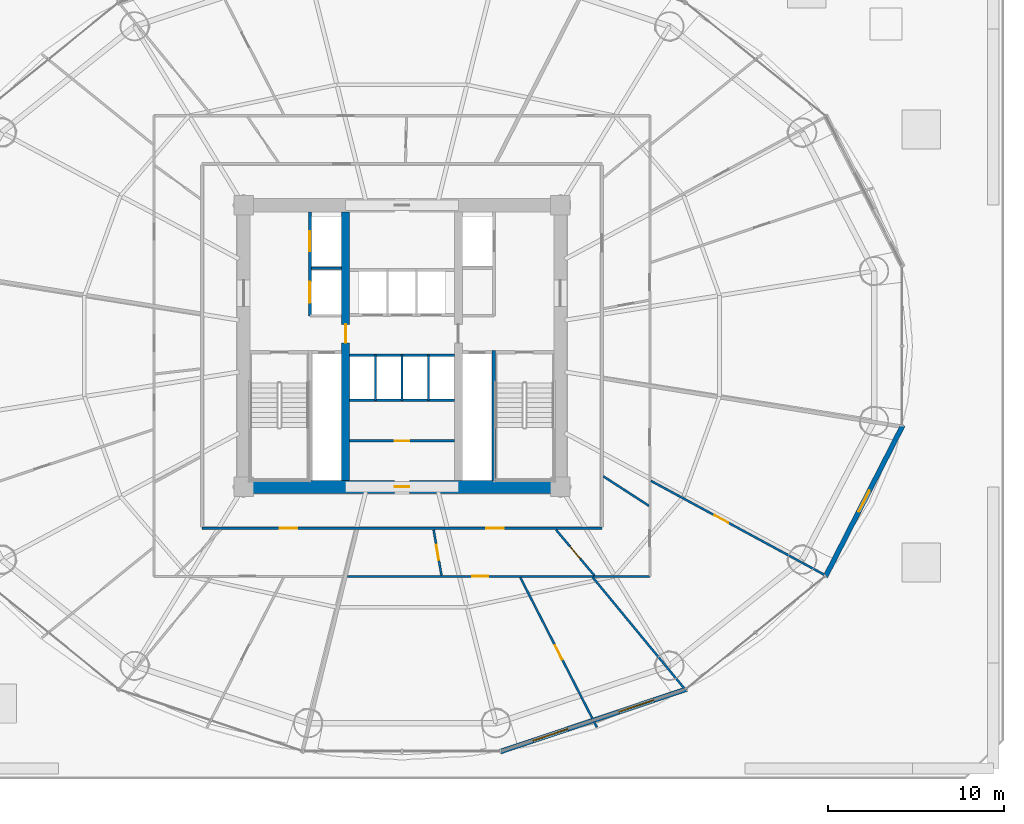
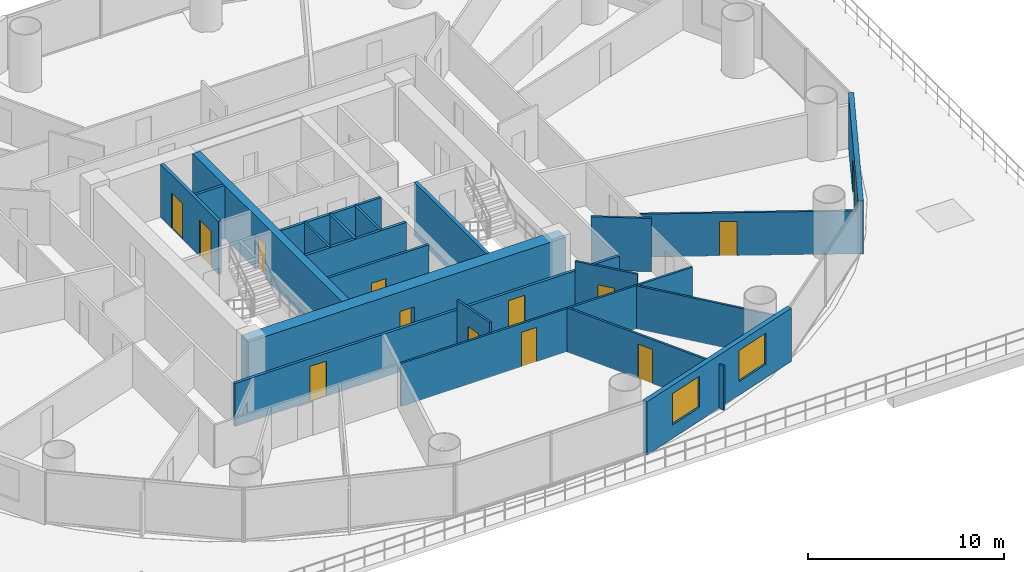
# One storey, part 31 of 37: 21 walls, 13 doors, 2 windows, 15 openings.
"""IFC4 building model written with IfcOpenShell, lengths in metres."""

from ifc_helpers import new_model, si_unit, direction, frame, frame_2d, origin, place, context, subcontext, project, spatial, rectangle, extrude, source, transform, mapped, material, layer, layer_set, type_object, element, fill, save


model = new_model("IFC4")

# Units and contexts
model_context = context("Model", 3, precision=1e-05, world=origin(), true_north=direction((-0.2419218956, 0.970295726276)))
body_context = subcontext(model_context, "Body", "Model", "MODEL_VIEW")
ifc_project = project(units=[si_unit("LENGTHUNIT", "METRE"), si_unit("AREAUNIT", "SQUARE_METRE"), si_unit("VOLUMEUNIT", "CUBIC_METRE"), si_unit("PLANEANGLEUNIT", "RADIAN"), si_unit("MASSUNIT", "GRAM", prefix="KILO")], contexts=[model_context])

# Site, building, storey
site_placement = place(None, origin())
site = spatial("IfcSite", under=ifc_project, at=site_placement, CompositionType="ELEMENT")
building_placement = place(site_placement, origin())
building = spatial("IfcBuilding", under=site, at=building_placement, Name="Cobrevalo Terracotta Tower", CompositionType="ELEMENT")
storey_placement = place(building_placement, frame((0.0, 0.0, 24.0)))
storey = spatial("IfcBuildingStorey", under=building, at=storey_placement, Name="L05", CompositionType="ELEMENT", Elevation=24.0)

# Wall, opening, door
ifc_material_1 = material(Name="Concrete C60", Category="concrete")
ifc_layer_1 = layer(ifc_material_1, 0.75)
ifc_layer_set_1 = layer_set([ifc_layer_1], Name="Concrete C60")
wall_type_1 = type_object("IfcWallType", Name="Core shear wall 750 mm Concrete C60", PredefinedType="SHEAR", material=ifc_layer_set_1)
wall_1_placement = place(storey_placement, frame((28.625, 18.800048828125, 0.0), z_axis=(0.0, 0.0, 1.0), x_axis=(1.0, 0.0, 0.0)))
wall_1 = element("IfcWall", 1, at=wall_1_placement, inside=storey, type_object=wall_type_1, Name="L05 south core shear wall", PredefinedType="SHEAR", context=body_context, shape_type="SweptSolid", body=[
    extrude(rectangle(XDim=18.75, YDim=0.75, at=frame_2d((9.375, 0.0))), origin(), (0.0, 0.0, 1.0), 3.320068359375),
])
opening_1_placement = place(wall_1_placement, frame((8.949951171875, 0.0, 0.0)))
opening_1 = element("IfcOpeningElement", 2, at=opening_1_placement, cuts=wall_1, Name="Opening ID-22", PredefinedType="OPENING", context=body_context, shape_type="SweptSolid", body=[
    extrude(rectangle(XDim=0.85009765625, YDim=2.10009765625, at=frame_2d((0.425048828125, 1.050048828125))), frame((0.0, 0.385009765625, 0.0), z_axis=(0.0, -1.0, 0.0), x_axis=(1.0, 0.0, 0.0)), (0.0, 0.0, 1.0), 0.77001953125),
])
ifc_material_2 = material(Name="Powder-coated steel", Category="steel")
door_type_1 = type_object("IfcDoorType", Name="Riser shaft & meter closet fire access door 850x2100 EI 60", OperationType="NOTDEFINED", PredefinedType="DOOR", material=ifc_material_2)
shared_shape_1 = source(origin(), body_context, "Body", "SweptSolid", [
    extrude(rectangle(XDim=0.85009765625, YDim=2.10009765625, at=frame_2d((0.425048828125, 1.050048828125))), frame((0.0, 0.02490234375, 0.0), z_axis=(0.0, -1.0, 0.0), x_axis=(1.0, 0.0, 0.0)), (0.0, 0.0, 1.0), 0.050048828125),
])
door_1_placement = place(opening_1_placement, origin())
door_1 = element("IfcDoor", 3, at=door_1_placement, inside=storey, type_object=door_type_1, Name="L05 core south plant door Smoke Extract Fan Plant", OperationType="SINGLE_SWING_RIGHT", OverallHeight=2.10009765625, OverallWidth=0.85009765625, PredefinedType="DOOR", context=body_context, shape_type="MappedRepresentation", body=[
    mapped(shared_shape_1, transform((0.0, 0.0, 0.0), scale=1.0)),
])
fill(opening_1, door_1)

# Walls
ifc_material_3 = material(Name="Gypsum board on steel stud", Category="steel")
ifc_layer_2 = layer(ifc_material_3, 0.159912109375)
ifc_layer_set_2 = layer_set([ifc_layer_2], Name="Gypsum board on steel stud")
wall_type_2 = type_object("IfcWallType", Name="Fire-rated corridor acoustic partition wall 160 mm", PredefinedType="PARTITIONING", material=ifc_layer_set_2)
wall_2_placement = place(storey_placement, frame((32.860107421875, 31.219970703125, 0.0), z_axis=(0.0, 0.0, 1.0), x_axis=(1.0, 0.0, 0.0)))
element("IfcWall", 4, at=wall_2_placement, inside=storey, type_object=wall_type_2, Name="L05 interior partition IW-L05-FF1-M", PredefinedType="PARTITIONING", context=body_context, shape_type="SweptSolid", body=[
    extrude(rectangle(XDim=1.71484375, YDim=0.159912109375, at=frame_2d((0.857421875, 0.0))), origin(), (0.0, 0.0, 1.0), 3.320068359375),
])
for number, where, z_axis, x_axis, name in (
    (5, (35.02490234375, 26.280029296875, 0.0), (0.0, 0.0, 1.0), (1.0, 0.0, 0.0), "L05 interior partition IW-L05-MB-N"),
    (6, (35.02490234375, 23.719970703125, 0.0), (0.0, 0.0, 1.0), (1.0, 0.0, 0.0), "L05 interior partition IW-L05-MB-S"),
):
    element("IfcWall", number, at=place(storey_placement, frame(where, z_axis=z_axis, x_axis=x_axis)), inside=storey, type_object=wall_type_2, Name=name, PredefinedType="PARTITIONING", context=body_context, shape_type="SweptSolid", body=[
        extrude(rectangle(XDim=5.9501953125, YDim=0.159912109375, at=frame_2d((2.97509765625, 0.0))), origin(), (0.0, 0.0, 1.0), 3.320068359375),
    ])

# Wall, openings, doors
wall_3_placement = place(storey_placement, frame((26.64501953125, 16.445068359375, 0.0), z_axis=(0.0, 0.0, 1.0), x_axis=(1.0, 0.0, 0.0)))
wall_3 = element("IfcWall", 7, at=wall_3_placement, inside=storey, type_object=wall_type_2, Name="L05 interior partition IW-L05-COR-S", PredefinedType="PARTITIONING", context=body_context, shape_type="SweptSolid", body=[
    extrude(rectangle(XDim=22.7099609375, YDim=0.159912109375, at=frame_2d((11.35498046875, 0.0))), origin(), (0.0, 0.0, 1.0), 2.68798828125),
])
opening_2_placement = place(wall_3_placement, frame((4.4208984375, 0.0, 0.0)))
opening_2 = element("IfcOpeningElement", 8, at=opening_2_placement, cuts=wall_3, Name="Opening ID-05", PredefinedType="OPENING", context=body_context, shape_type="SweptSolid", body=[
    extrude(rectangle(XDim=0.97998046875, YDim=2.199951171875, at=frame_2d((0.489990234375, 1.10009765625))), frame((0.0, 0.08984375, 0.0), z_axis=(0.0, -1.0, 0.0), x_axis=(1.0, 0.0, 0.0)), (0.0, 0.0, 1.0), 0.179931640625),
])
opening_3_placement = place(wall_3_placement, frame((16.152587890625, 0.0, 0.0)))
opening_3 = element("IfcOpeningElement", 9, at=opening_3_placement, cuts=wall_3, Name="Opening ID-05", PredefinedType="OPENING", context=body_context, shape_type="SweptSolid", body=[
    extrude(rectangle(XDim=0.97998046875, YDim=2.199951171875, at=frame_2d((0.489990234375, 1.10009765625))), frame((0.0, 0.08984375, 0.0), z_axis=(0.0, -1.0, 0.0), x_axis=(1.0, 0.0, 0.0)), (0.0, 0.0, 1.0), 0.179931640625),
])
ifc_material_4 = material(Name="Solid hardwood timber", Category="wood")
door_type_2 = type_object("IfcDoorType", Name="Residence entrance fire-rated acoustic timber door 980x2200 EI 60", OperationType="NOTDEFINED", PredefinedType="DOOR", material=ifc_material_4)
shared_shape_2 = source(origin(), body_context, "Body", "SweptSolid", [
    extrude(rectangle(XDim=0.97998046875, YDim=2.199951171875, at=frame_2d((0.489990234375, 1.10009765625))), frame((0.0, 0.02490234375, 0.0), z_axis=(0.0, -1.0, 0.0), x_axis=(1.0, 0.0, 0.0)), (0.0, 0.0, 1.0), 0.050048828125),
])
door_2_placement = place(opening_2_placement, frame((0.97998046875, 0.0, 0.0), z_axis=(0.0, 0.0, 1.0), x_axis=(-1.0, 0.0, 0.0)))
door_2 = element("IfcDoor", 10, at=door_2_placement, inside=storey, type_object=door_type_2, Name="Flat L05C fire-rated apartment entrance door", OperationType="SINGLE_SWING_RIGHT", OverallHeight=2.199951171875, OverallWidth=0.97998046875, PredefinedType="DOOR", context=body_context, shape_type="MappedRepresentation", body=[
    mapped(shared_shape_2, transform((0.0, 0.0, 0.0), scale=1.0)),
])
fill(opening_2, door_2)
door_3_placement = place(opening_3_placement, frame((0.97998046875, 0.0, 0.0), z_axis=(0.0, 0.0, 1.0), x_axis=(-1.0, 0.0, 0.0)))
door_3 = element("IfcDoor", 11, at=door_3_placement, inside=storey, type_object=door_type_2, Name="Flat L05D fire-rated apartment entrance door", OperationType="SINGLE_SWING_LEFT", OverallHeight=2.199951171875, OverallWidth=0.97998046875, PredefinedType="DOOR", context=body_context, shape_type="MappedRepresentation", body=[
    mapped(shared_shape_2, transform((0.0, 0.0, 0.0), scale=1.0)),
])
fill(opening_3, door_3)

ifc_layer_3 = layer(ifc_material_3, 0.179931640625)
ifc_layer_set_3 = layer_set([ifc_layer_3], Name="Gypsum board on steel stud")
wall_type_3 = type_object("IfcWallType", Name="Fire-rated shaft & lobby acoustic partition wall 180 mm", PredefinedType="PARTITIONING", material=ifc_layer_set_3)
wall_4_placement = place(storey_placement, frame((32.77001953125, 28.52001953125, 0.0), z_axis=(0.0, 0.0, 1.0), x_axis=(0.0, 1.0, 0.0)))
wall_4 = element("IfcWall", 12, at=wall_4_placement, inside=storey, type_object=wall_type_3, Name="L05 interior partition IW-L05-FF1-W", PredefinedType="PARTITIONING", context=body_context, shape_type="SweptSolid", body=[
    extrude(rectangle(XDim=5.905029296875, YDim=0.179931640625, at=frame_2d((2.95263671875, 0.0))), origin(), (0.0, 0.0, 1.0), 3.320068359375),
])
opening_4_placement = place(wall_4_placement, frame((3.655029296875, 0.0, 0.0)))
opening_4 = element("IfcOpeningElement", 13, at=opening_4_placement, cuts=wall_4, Name="Opening LD-02", PredefinedType="OPENING", context=body_context, shape_type="SweptSolid", body=[
    extrude(rectangle(XDim=1.14990234375, YDim=2.199951171875, at=frame_2d((0.574951171875, 1.10009765625))), frame((0.0, 0.10009765625, 0.0), z_axis=(0.0, -1.0, 0.0), x_axis=(1.0, 0.0, 0.0)), (0.0, 0.0, 1.0), 0.199951171875),
])
opening_5_placement = place(wall_4_placement, frame((0.72998046875, 0.0, 0.0)))
opening_5 = element("IfcOpeningElement", 14, at=opening_5_placement, cuts=wall_4, Name="Opening LD-03", PredefinedType="OPENING", context=body_context, shape_type="SweptSolid", body=[
    extrude(rectangle(XDim=1.199951171875, YDim=2.25, at=frame_2d((0.60009765625, 1.125))), frame((0.0, 0.10009765625, 0.0), z_axis=(0.0, -1.0, 0.0), x_axis=(1.0, 0.0, 0.0)), (0.0, 0.0, 1.0), 0.199951171875),
])
ifc_material_5 = material(Name="Brushed stainless steel", Category="steel")
door_type_3 = type_object("IfcDoorType", Name="Firefighting lift landing bi-parting sliding door 1150x2200 EI 120", OperationType="DOUBLE_DOOR_SLIDING", PredefinedType="DOOR", material=ifc_material_5)
shared_shape_3 = source(origin(), body_context, "Body", "SweptSolid", [
    extrude(rectangle(XDim=1.14990234375, YDim=2.199951171875, at=frame_2d((0.574951171875, 1.10009765625))), frame((0.0, 0.02490234375, 0.0), z_axis=(0.0, -1.0, 0.0), x_axis=(1.0, 0.0, 0.0)), (0.0, 0.0, 1.0), 0.050048828125),
])
door_4_placement = place(opening_4_placement, origin())
door_4 = element("IfcDoor", 15, at=door_4_placement, inside=storey, type_object=door_type_3, Name="L05 lift landing door FF-1", OperationType="DOUBLE_DOOR_SLIDING", OverallHeight=2.199951171875, OverallWidth=1.14990234375, PredefinedType="DOOR", context=body_context, shape_type="MappedRepresentation", body=[
    mapped(shared_shape_3, transform((0.0, 0.0, 0.0), scale=1.0)),
])
fill(opening_4, door_4)
door_type_4 = type_object("IfcDoorType", Name="Service lift landing bi-parting sliding door 1200x2250 EI 120", OperationType="DOUBLE_DOOR_SLIDING", PredefinedType="DOOR", material=ifc_material_5)
shared_shape_4 = source(origin(), body_context, "Body", "SweptSolid", [
    extrude(rectangle(XDim=1.199951171875, YDim=2.25, at=frame_2d((0.60009765625, 1.125))), frame((0.0, 0.02490234375, 0.0), z_axis=(0.0, -1.0, 0.0), x_axis=(1.0, 0.0, 0.0)), (0.0, 0.0, 1.0), 0.050048828125),
])
door_5_placement = place(opening_5_placement, origin())
door_5 = element("IfcDoor", 16, at=door_5_placement, inside=storey, type_object=door_type_4, Name="L05 lift landing door SV-1", OperationType="DOUBLE_DOOR_SLIDING", OverallHeight=2.25, OverallWidth=1.199951171875, PredefinedType="DOOR", context=body_context, shape_type="MappedRepresentation", body=[
    mapped(shared_shape_4, transform((0.0, 0.0, 0.0), scale=1.0)),
])
fill(opening_5, door_5)

# Walls
ifc_material_6 = material(Name="Autoclaved aerated concrete block", Category="concrete")
ifc_layer_4 = layer(ifc_material_6, 0.1201171875)
ifc_layer_set_4 = layer_set([ifc_layer_4], Name="Autoclaved aerated concrete block")
wall_type_4 = type_object("IfcWallType", Name="Fire-rated wet-room & core service partition 120 mm", PredefinedType="PARTITIONING", material=ifc_layer_set_4)
for number, where, z_axis, x_axis, name in (
    (17, (36.5, 23.719970703125, 0.0), (0.0, 0.0, 1.0), (0.0, 1.0, 0.0), "L05 interior partition IW-L05-MB-D1"),
    (18, (39.5, 23.719970703125, 0.0), (0.0, 0.0, 1.0), (0.0, 1.0, 0.0), "L05 interior partition IW-L05-MB-D3"),
):
    element("IfcWall", number, at=place(storey_placement, frame(where, z_axis=z_axis, x_axis=x_axis)), inside=storey, type_object=wall_type_4, Name=name, PredefinedType="PARTITIONING", context=body_context, shape_type="SweptSolid", body=[
        extrude(rectangle(XDim=2.56005859375, YDim=0.1201171875, at=frame_2d((1.280029296875, 0.0))), origin(), (0.0, 0.0, 1.0), 3.320068359375),
    ])

# Wall, openings, windows
ifc_layer_5 = layer(ifc_material_6, 0.280029296875)
ifc_layer_set_5 = layer_set([ifc_layer_5], Name="Autoclaved aerated concrete block")
wall_type_5 = type_object("IfcWallType", Name="Insulated tower spandrel & pier wall 280 mm with terracotta rainscreen", PredefinedType="SOLIDWALL", material=ifc_layer_set_5)
wall_5_placement = place(storey_placement, frame((43.575927734375, 3.755615234375, 0.0), z_axis=(0.0, 0.0, 1.0), x_axis=(0.948047847546, 0.31812777113, 0.0)))
wall_5 = element("IfcWall", 19, at=wall_5_placement, inside=storey, type_object=wall_type_5, Name="L05 terracotta rainscreen pier wall S13", PredefinedType="SOLIDWALL", context=body_context, shape_type="SweptSolid", body=[
    extrude(rectangle(XDim=11.17529296875, YDim=0.280029296875, at=frame_2d((5.587646484375, 0.0))), origin(), (0.0, 0.0, 1.0), 3.320068359375),
])
opening_6_placement = place(wall_5_placement, frame((1.96728515625, 0.0, 0.85009765625)))
opening_6 = element("IfcOpeningElement", 20, at=opening_6_placement, cuts=wall_5, Name="Opening WN-10", PredefinedType="OPENING", context=body_context, shape_type="SweptSolid", body=[
    extrude(rectangle(XDim=2.10009765625, YDim=1.949951171875, at=frame_2d((1.050048828125, 0.97509765625))), frame((0.0, 0.14990234375, 0.0), z_axis=(0.0, -1.0, 0.0), x_axis=(1.0, 0.0, 0.0)), (0.0, 0.0, 1.0), 0.300048828125),
])
opening_7_placement = place(wall_5_placement, frame((7.108154296875, 0.0, 0.85009765625)))
opening_7 = element("IfcOpeningElement", 21, at=opening_7_placement, cuts=wall_5, Name="Opening WN-10", PredefinedType="OPENING", context=body_context, shape_type="SweptSolid", body=[
    extrude(rectangle(XDim=2.10009765625, YDim=1.949951171875, at=frame_2d((1.050048828125, 0.97509765625))), frame((0.0, 0.14990234375, 0.0), z_axis=(0.0, -1.0, 0.0), x_axis=(1.0, 0.0, 0.0)), (0.0, 0.0, 1.0), 0.300048828125),
])
ifc_material_7 = material(Name="Solar-control low-E double glazing", Category="glass")
window_type = type_object("IfcWindowType", Name="Wide panoramic low-E aluminium window 2100x1950", PartitioningType="SINGLE_PANEL", PredefinedType="WINDOW", material=ifc_material_7)
shared_shape_5 = source(origin(), body_context, "Body", "SweptSolid", [
    extrude(rectangle(XDim=2.10009765625, YDim=1.949951171875, at=frame_2d((1.050048828125, 0.97509765625))), frame((0.0, 0.030029296875, 0.0), z_axis=(0.0, -1.0, 0.0), x_axis=(1.0, 0.0, 0.0)), (0.0, 0.0, 1.0), 0.06005859375),
])
window_1_placement = place(opening_6_placement, origin())
window_1 = element("IfcWindow", 22, at=window_1_placement, inside=storey, type_object=window_type, Name="L05 suite window S13A", OverallHeight=1.949951171875, OverallWidth=2.10009765625, PartitioningType="SINGLE_PANEL", PredefinedType="WINDOW", context=body_context, shape_type="MappedRepresentation", body=[
    mapped(shared_shape_5, transform((0.0, 0.0, 0.0), scale=1.0)),
])
fill(opening_6, window_1)
window_2_placement = place(opening_7_placement, origin())
window_2 = element("IfcWindow", 23, at=window_2_placement, inside=storey, type_object=window_type, Name="L05 suite window S13B", OverallHeight=1.949951171875, OverallWidth=2.10009765625, PartitioningType="SINGLE_PANEL", PredefinedType="WINDOW", context=body_context, shape_type="MappedRepresentation", body=[
    mapped(shared_shape_5, transform((0.0, 0.0, 0.0), scale=1.0)),
])
fill(opening_7, window_2)

# Wall, opening, door
wall_6_placement = place(storey_placement, frame((62.05126953125, 13.689453125, 0.0), z_axis=(0.0, 0.0, 1.0), x_axis=(0.455220575541, 0.890378698984, 0.0)))
wall_6 = element("IfcWall", 24, at=wall_6_placement, inside=storey, type_object=wall_type_5, Name="L05 podium roof garden access wall S15", PredefinedType="SOLIDWALL", context=body_context, shape_type="SweptSolid", body=[
    extrude(rectangle(XDim=9.662109375, YDim=0.280029296875, at=frame_2d((4.8310546875, 0.0))), origin(), (0.0, 0.0, 1.0), 3.320068359375),
])
opening_8_placement = place(wall_6_placement, frame((4.156005859375, 0.0, 0.0)))
opening_8 = element("IfcOpeningElement", 25, at=opening_8_placement, cuts=wall_6, Name="Opening ED-05", PredefinedType="OPENING", context=body_context, shape_type="SweptSolid", body=[
    extrude(rectangle(XDim=1.35009765625, YDim=2.199951171875, at=frame_2d((0.675048828125, 1.10009765625))), frame((0.0, 0.14990234375, 0.0), z_axis=(0.0, -1.0, 0.0), x_axis=(1.0, 0.0, 0.0)), (0.0, 0.0, 1.0), 0.300048828125),
])
ifc_material_8 = material(Name="Anodized aluminium and laminated glass", Category="aluminium")
door_type_5 = type_object("IfcDoorType", Name="Suite balcony acoustic glazed terrace door 1350x2200", OperationType="NOTDEFINED", PredefinedType="DOOR", material=ifc_material_8)
shared_shape_6 = source(origin(), body_context, "Body", "SweptSolid", [
    extrude(rectangle(XDim=1.35009765625, YDim=2.199951171875, at=frame_2d((0.675048828125, 1.10009765625))), frame((0.0, 0.02490234375, 0.0), z_axis=(0.0, -1.0, 0.0), x_axis=(1.0, 0.0, 0.0)), (0.0, 0.0, 1.0), 0.050048828125),
])
door_6_placement = place(opening_8_placement, frame((1.35009765625, 0.0, 0.0), z_axis=(0.0, 0.0, 1.0), x_axis=(-1.0, 0.0, 0.0)))
door_6 = element("IfcDoor", 26, at=door_6_placement, inside=storey, type_object=door_type_5, Name="L05 podium roof garden terrace door S15", OperationType="SINGLE_SWING_LEFT", OverallHeight=2.199951171875, OverallWidth=1.35009765625, PredefinedType="DOOR", context=body_context, shape_type="MappedRepresentation", body=[
    mapped(shared_shape_6, transform((0.0, 0.0, 0.0), scale=1.0)),
])
fill(opening_8, door_6)

ifc_material_9 = material(Name="Concrete C55", Category="concrete")
ifc_layer_6 = layer(ifc_material_9, 0.449951171875)
ifc_layer_set_6 = layer_set([ifc_layer_6], Name="Concrete C55")
wall_type_6 = type_object("IfcWallType", Name="Internal core shear web wall 450 mm Concrete C55", PredefinedType="SHEAR", material=ifc_layer_set_6)
wall_7_placement = place(storey_placement, frame((34.800048828125, 19.175048828125, 0.0), z_axis=(0.0, 0.0, 1.0), x_axis=(0.0, 1.0, 0.0)))
wall_7 = element("IfcWall", 27, at=wall_7_placement, inside=storey, type_object=wall_type_6, Name="L05 internal core shear wall WEB-W", PredefinedType="SHEAR", context=body_context, shape_type="SweptSolid", body=[
    extrude(rectangle(XDim=15.25, YDim=0.449951171875, at=frame_2d((7.625, 0.0))), origin(), (0.0, 0.0, 1.0), 3.320068359375),
])
opening_9_placement = place(wall_7_placement, frame((7.800048828125, 0.0, 0.0)))
opening_9 = element("IfcOpeningElement", 28, at=opening_9_placement, cuts=wall_7, Name="Opening ID-11", PredefinedType="OPENING", context=body_context, shape_type="SweptSolid", body=[
    extrude(rectangle(XDim=1.050048828125, YDim=2.14990234375, at=frame_2d((0.52490234375, 1.074951171875))), frame((0.0, 0.23486328125, 0.0), z_axis=(0.0, -1.0, 0.0), x_axis=(1.0, 0.0, 0.0)), (0.0, 0.0, 1.0), 0.469970703125),
])
ifc_material_10 = material(Name="Galvanized fire-rated steel", Category="steel")
door_type_6 = type_object("IfcDoorType", Name="Core concourse cross fire door 1050x2150 EI 90", OperationType="NOTDEFINED", PredefinedType="DOOR", material=ifc_material_10)
shared_shape_7 = source(origin(), body_context, "Body", "SweptSolid", [
    extrude(rectangle(XDim=1.050048828125, YDim=2.14990234375, at=frame_2d((0.52490234375, 1.074951171875))), frame((0.0, 0.02490234375, 0.0), z_axis=(0.0, -1.0, 0.0), x_axis=(1.0, 0.0, 0.0)), (0.0, 0.0, 1.0), 0.050048828125),
])
door_7_placement = place(opening_9_placement, origin())
door_7 = element("IfcDoor", 29, at=door_7_placement, inside=storey, type_object=door_type_6, Name="L05 west core concourse cross door", OperationType="SINGLE_SWING_LEFT", OverallHeight=2.14990234375, OverallWidth=1.050048828125, PredefinedType="DOOR", context=body_context, shape_type="MappedRepresentation", body=[
    mapped(shared_shape_7, transform((0.0, 0.0, 0.0), scale=1.0)),
])
fill(opening_9, door_7)

# Wall
ifc_layer_7 = layer(ifc_material_6, 0.139892578125)
ifc_layer_set_7 = layer_set([ifc_layer_7], Name="Autoclaved aerated concrete block")
wall_type_7 = type_object("IfcWallType", Name="Moisture-resistant wet-room & core service partition 140 mm", PredefinedType="PARTITIONING", material=ifc_layer_set_7)
wall_8_placement = place(storey_placement, frame((38.0, 23.719970703125, 0.0), z_axis=(0.0, 0.0, 1.0), x_axis=(0.0, 1.0, 0.0)))
element("IfcWall", 30, at=wall_8_placement, inside=storey, type_object=wall_type_7, Name="L05 interior partition IW-L05-MB-D2", PredefinedType="PARTITIONING", context=body_context, shape_type="SweptSolid", body=[
    extrude(rectangle(XDim=2.56005859375, YDim=0.139892578125, at=frame_2d((1.280029296875, 0.0))), origin(), (0.0, 0.0, 1.0), 3.320068359375),
])

# Wall, opening, door
wall_9_placement = place(storey_placement, frame((35.02490234375, 21.407470703125, 0.0), z_axis=(0.0, 0.0, 1.0), x_axis=(1.0, 0.0, 0.0)))
wall_9 = element("IfcWall", 31, at=wall_9_placement, inside=storey, type_object=wall_type_7, Name="L05 interior partition IW-L05-KVS-H", PredefinedType="PARTITIONING", context=body_context, shape_type="SweptSolid", body=[
    extrude(rectangle(XDim=5.9501953125, YDim=0.139892578125, at=frame_2d((2.97509765625, 0.0))), origin(), (0.0, 0.0, 1.0), 3.320068359375),
])
opening_10_placement = place(wall_9_placement, frame((2.550048828125, 0.0, 0.0)))
opening_10 = element("IfcOpeningElement", 32, at=opening_10_placement, cuts=wall_9, Name="Opening ID-22", PredefinedType="OPENING", context=body_context, shape_type="SweptSolid", body=[
    extrude(rectangle(XDim=0.85009765625, YDim=2.10009765625, at=frame_2d((0.425048828125, 1.050048828125))), frame((0.0, 0.080078125, 0.0), z_axis=(0.0, -1.0, 0.0), x_axis=(1.0, 0.0, 0.0)), (0.0, 0.0, 1.0), 0.159912109375),
])
door_8_placement = place(opening_10_placement, origin())
door_8 = element("IfcDoor", 33, at=door_8_placement, inside=storey, type_object=door_type_1, Name="L05 core manifold inner door", OperationType="SINGLE_SWING_LEFT", OverallHeight=2.10009765625, OverallWidth=0.85009765625, PredefinedType="DOOR", context=body_context, shape_type="MappedRepresentation", body=[
    mapped(shared_shape_1, transform((0.0, 0.0, 0.0), scale=1.0)),
])
fill(opening_10, door_8)

ifc_layer_8 = layer(ifc_material_3, 0.1201171875)
ifc_layer_set_8 = layer_set([ifc_layer_8], Name="Gypsum board on steel stud")
wall_type_8 = type_object("IfcWallType", Name="Residential internal acoustic stud partition 120 mm", PredefinedType="PARTITIONING", material=ifc_layer_set_8)
wall_10_placement = place(storey_placement, frame((52.0849609375, 13.715087890625, 0.0), z_axis=(0.0, 0.0, 1.0), x_axis=(-1.0, 0.0, 0.0)))
wall_10 = element("IfcWall", 34, at=wall_10_placement, inside=storey, type_object=wall_type_8, Name="L05 interior partition IW-L05-U4-RING1_0", PredefinedType="PARTITIONING", context=body_context, shape_type="SweptSolid", body=[
    extrude(rectangle(XDim=17.19482421875, YDim=0.1201171875, at=frame_2d((8.597412109375, 0.0))), origin(), (0.0, 0.0, 1.0), 2.68798828125),
])
opening_11_placement = place(wall_10_placement, frame((9.19140625, 0.0, 0.0)))
opening_11 = element("IfcOpeningElement", 35, at=opening_11_placement, cuts=wall_10, Name="Opening ID-12", PredefinedType="OPENING", context=body_context, shape_type="SweptSolid", body=[
    extrude(rectangle(XDim=0.89990234375, YDim=2.14990234375, at=frame_2d((0.449951171875, 1.074951171875))), frame((0.0, 0.070068359375, 0.0), z_axis=(0.0, -1.0, 0.0), x_axis=(1.0, 0.0, 0.0)), (0.0, 0.0, 1.0), 0.14013671875),
])
ifc_material_11 = material(Name="Engineered timber", Category="wood")
door_type_7 = type_object("IfcDoorType", Name="Internal residence & suite timber door 900x2150", OperationType="NOTDEFINED", PredefinedType="DOOR", material=ifc_material_11)
shared_shape_8 = source(origin(), body_context, "Body", "SweptSolid", [
    extrude(rectangle(XDim=0.89990234375, YDim=2.14990234375, at=frame_2d((0.449951171875, 1.074951171875))), frame((0.0, 0.02490234375, 0.0), z_axis=(0.0, -1.0, 0.0), x_axis=(1.0, 0.0, 0.0)), (0.0, 0.0, 1.0), 0.050048828125),
])
door_9_placement = place(opening_11_placement, origin())
door_9 = element("IfcDoor", 36, at=door_9_placement, inside=storey, type_object=door_type_7, Name="Flat L05D Penthouse Living and Dining Room internal door", OperationType="SINGLE_SWING_LEFT", OverallHeight=2.14990234375, OverallWidth=0.89990234375, PredefinedType="DOOR", context=body_context, shape_type="MappedRepresentation", body=[
    mapped(shared_shape_8, transform((0.0, 0.0, 0.0), scale=1.0)),
])
fill(opening_11, door_9)

wall_11_placement = place(storey_placement, frame((44.716796875, 13.65966796875, 0.0), z_axis=(0.0, 0.0, 1.0), x_axis=(0.455131303234, -0.890424335256, 0.0)))
wall_11 = element("IfcWall", 37, at=wall_11_placement, inside=storey, type_object=wall_type_8, Name="L05 interior partition IW-L05-U4-ORAD1", PredefinedType="PARTITIONING", context=body_context, shape_type="SweptSolid", body=[
    extrude(rectangle(XDim=9.562255859375, YDim=0.1201171875, at=frame_2d((4.78125, 0.0))), origin(), (0.0, 0.0, 1.0), 2.761962890625),
])
opening_12_placement = place(wall_11_placement, frame((4.3310546875, 0.0, 0.0)))
opening_12 = element("IfcOpeningElement", 38, at=opening_12_placement, cuts=wall_11, Name="Opening ID-12", PredefinedType="OPENING", context=body_context, shape_type="SweptSolid", body=[
    extrude(rectangle(XDim=0.89990234375, YDim=2.14990234375, at=frame_2d((0.449951171875, 1.074951171875))), frame((0.0, 0.070068359375, 0.0), z_axis=(0.0, -1.0, 0.0), x_axis=(1.0, 0.0, 0.0)), (0.0, 0.0, 1.0), 0.14013671875),
])
door_10_placement = place(opening_12_placement, origin())
door_10 = element("IfcDoor", 39, at=door_10_placement, inside=storey, type_object=door_type_7, Name="Flat L05D Master Bedroom internal door", OperationType="SINGLE_SWING_RIGHT", OverallHeight=2.14990234375, OverallWidth=0.89990234375, PredefinedType="DOOR", context=body_context, shape_type="MappedRepresentation", body=[
    mapped(shared_shape_8, transform((0.0, 0.0, 0.0), scale=1.0)),
])
fill(opening_12, door_10)

# Wall
wall_12_placement = place(storey_placement, frame((48.828857421875, 13.667236328125, 0.0), z_axis=(0.0, 0.0, 1.0), x_axis=(0.636177533893, -0.771542704826, 0.0)))
element("IfcWall", 40, at=wall_12_placement, inside=storey, type_object=wall_type_8, Name="L05 interior partition IW-L05-U4-ORAD2M1", PredefinedType="PARTITIONING", context=body_context, shape_type="SweptSolid", body=[
    extrude(rectangle(XDim=8.1865234375, YDim=0.1201171875, at=frame_2d((4.09326171875, 0.0))), origin(), (0.0, 0.0, 1.0), 2.68798828125),
])

# Wall, opening, door
wall_13_placement = place(storey_placement, frame((52.139404296875, 19.14404296875, 0.0), z_axis=(0.0, 0.0, 1.0), x_axis=(0.879372452045, -0.476134529922, 0.0)))
wall_13 = element("IfcWall", 41, at=wall_13_placement, inside=storey, type_object=wall_type_8, Name="L05 interior partition IW-L05-U4-ORAD2", PredefinedType="PARTITIONING", context=body_context, shape_type="SweptSolid", body=[
    extrude(rectangle(XDim=11.219482421875, YDim=0.1201171875, at=frame_2d((5.60986328125, 0.0))), origin(), (0.0, 0.0, 1.0), 2.68798828125),
])
opening_13_placement = place(wall_13_placement, frame((4.0966796875, 0.0, 0.0)))
opening_13 = element("IfcOpeningElement", 42, at=opening_13_placement, cuts=wall_13, Name="Opening ID-12", PredefinedType="OPENING", context=body_context, shape_type="SweptSolid", body=[
    extrude(rectangle(XDim=0.89990234375, YDim=2.14990234375, at=frame_2d((0.449951171875, 1.074951171875))), frame((0.0, 0.070068359375, 0.0), z_axis=(0.0, -1.0, 0.0), x_axis=(1.0, 0.0, 0.0)), (0.0, 0.0, 1.0), 0.14013671875),
])
door_11_placement = place(opening_13_placement, origin())
door_11 = element("IfcDoor", 43, at=door_11_placement, inside=storey, type_object=door_type_7, Name="Flat L05D Penthouse Family Lounge internal door", OperationType="SINGLE_SWING_RIGHT", OverallHeight=2.14990234375, OverallWidth=0.89990234375, PredefinedType="DOOR", context=body_context, shape_type="MappedRepresentation", body=[
    mapped(shared_shape_8, transform((0.0, 0.0, 0.0), scale=1.0)),
])
fill(opening_13, door_11)

wall_14_placement = place(storey_placement, frame((39.79638671875, 16.364990234375, 0.0), z_axis=(0.0, 0.0, 1.0), x_axis=(0.169611246875, -0.985511047596, 0.0)))
wall_14 = element("IfcWall", 44, at=wall_14_placement, inside=storey, type_object=wall_type_8, Name="L05 interior partition IW-L05-U4-IRAD1", PredefinedType="PARTITIONING", context=body_context, shape_type="SweptSolid", body=[
    extrude(rectangle(XDim=2.626953125, YDim=0.1201171875, at=frame_2d((1.3134765625, 0.0))), origin(), (0.0, 0.0, 1.0), 3.320068359375),
])
opening_14_placement = place(wall_14_placement, frame((0.883544921875, 0.0, 0.0)))
opening_14 = element("IfcOpeningElement", 45, at=opening_14_placement, cuts=wall_14, Name="Opening ID-19", PredefinedType="OPENING", context=body_context, shape_type="SweptSolid", body=[
    extrude(rectangle(XDim=0.860107421875, YDim=2.14990234375, at=frame_2d((0.43017578125, 1.074951171875))), frame((0.0, 0.070068359375, 0.0), z_axis=(0.0, -1.0, 0.0), x_axis=(1.0, 0.0, 0.0)), (0.0, 0.0, 1.0), 0.14013671875),
])
ifc_material_12 = material(Name="Moisture-sealed timber", Category="wood")
door_type_8 = type_object("IfcDoorType", Name="Suite bathroom internal timber door 860x2150", OperationType="NOTDEFINED", PredefinedType="DOOR", material=ifc_material_12)
shared_shape_9 = source(origin(), body_context, "Body", "SweptSolid", [
    extrude(rectangle(XDim=0.860107421875, YDim=2.14990234375, at=frame_2d((0.43017578125, 1.074951171875))), frame((0.0, 0.02490234375, 0.0), z_axis=(0.0, -1.0, 0.0), x_axis=(1.0, 0.0, 0.0)), (0.0, 0.0, 1.0), 0.050048828125),
])
door_12_placement = place(opening_14_placement, frame((0.860107421875, 0.0, 0.0), z_axis=(0.0, 0.0, 1.0), x_axis=(-1.0, 0.0, 0.0)))
door_12 = element("IfcDoor", 46, at=door_12_placement, inside=storey, type_object=door_type_8, Name="Flat L05D Primary Bathroom internal door", OperationType="SINGLE_SWING_RIGHT", OverallHeight=2.14990234375, OverallWidth=0.860107421875, PredefinedType="DOOR", context=body_context, shape_type="MappedRepresentation", body=[
    mapped(shared_shape_9, transform((0.0, 0.0, 0.0), scale=1.0)),
])
fill(opening_14, door_12)

wall_15_placement = place(storey_placement, frame((46.74853515625, 16.364990234375, 0.0), z_axis=(0.0, 0.0, 1.0), x_axis=(0.64245841772, -0.766320547487, 0.0)))
wall_15 = element("IfcWall", 47, at=wall_15_placement, inside=storey, type_object=wall_type_8, Name="L05 interior partition IW-L05-U4-IRAD2", PredefinedType="PARTITIONING", context=body_context, shape_type="SweptSolid", body=[
    extrude(rectangle(XDim=3.396240234375, YDim=0.1201171875, at=frame_2d((1.6982421875, 0.0))), origin(), (0.0, 0.0, 1.0), 3.320068359375),
])
opening_15_placement = place(wall_15_placement, frame((1.248046875, 0.0, 0.0)))
opening_15 = element("IfcOpeningElement", 48, at=opening_15_placement, cuts=wall_15, Name="Opening ID-12", PredefinedType="OPENING", context=body_context, shape_type="SweptSolid", body=[
    extrude(rectangle(XDim=0.89990234375, YDim=2.14990234375, at=frame_2d((0.449951171875, 1.074951171875))), frame((0.0, 0.070068359375, 0.0), z_axis=(0.0, -1.0, 0.0), x_axis=(1.0, 0.0, 0.0)), (0.0, 0.0, 1.0), 0.14013671875),
])
door_13_placement = place(opening_15_placement, origin())
door_13 = element("IfcDoor", 49, at=door_13_placement, inside=storey, type_object=door_type_7, Name="Flat L05D Kitchen internal door", OperationType="SINGLE_SWING_RIGHT", OverallHeight=2.14990234375, OverallWidth=0.89990234375, PredefinedType="DOOR", context=body_context, shape_type="MappedRepresentation", body=[
    mapped(shared_shape_8, transform((0.0, 0.0, 0.0), scale=1.0)),
])
fill(opening_15, door_13)

# Walls
wall_16_placement = place(storey_placement, frame((49.43505859375, 19.402099609375, 0.0), z_axis=(0.0, 0.0, 1.0), x_axis=(0.839582858019, -0.543231649042, 0.0)))
element("IfcWall", 50, at=wall_16_placement, inside=storey, type_object=wall_type_8, Name="L05 interior partition IW-L05-U4-IRAD3", PredefinedType="PARTITIONING", context=body_context, shape_type="SweptSolid", body=[
    extrude(rectangle(XDim=3.09423828125, YDim=0.1201171875, at=frame_2d((1.547119140625, 0.0))), origin(), (0.0, 0.0, 1.0), 3.320068359375),
])
ifc_material_13 = material(Name="Concrete C50", Category="concrete")
ifc_layer_9 = layer(ifc_material_13, 0.199951171875)
ifc_layer_set_9 = layer_set([ifc_layer_9], Name="Concrete C50")
wall_type_9 = type_object("IfcWallType", Name="Structural core & podium stair-shaft RC wall 200 mm Concrete C50", PredefinedType="SOLIDWALL", material=ifc_layer_set_9)
wall_17_placement = place(storey_placement, frame((43.205078125, 19.175048828125, 0.0), z_axis=(0.0, 0.0, 1.0), x_axis=(0.0, 1.0, 0.0)))
element("IfcWall", 51, at=wall_17_placement, inside=storey, type_object=wall_type_9, Name="L05 ST-2 west structural shaft wall", PredefinedType="SOLIDWALL", context=body_context, shape_type="SweptSolid", body=[
    extrude(rectangle(XDim=7.375, YDim=0.199951171875, at=frame_2d((3.6875, 0.0))), origin(), (0.0, 0.0, 1.0), 3.320068359375),
])

save(model, "model.ifc")
